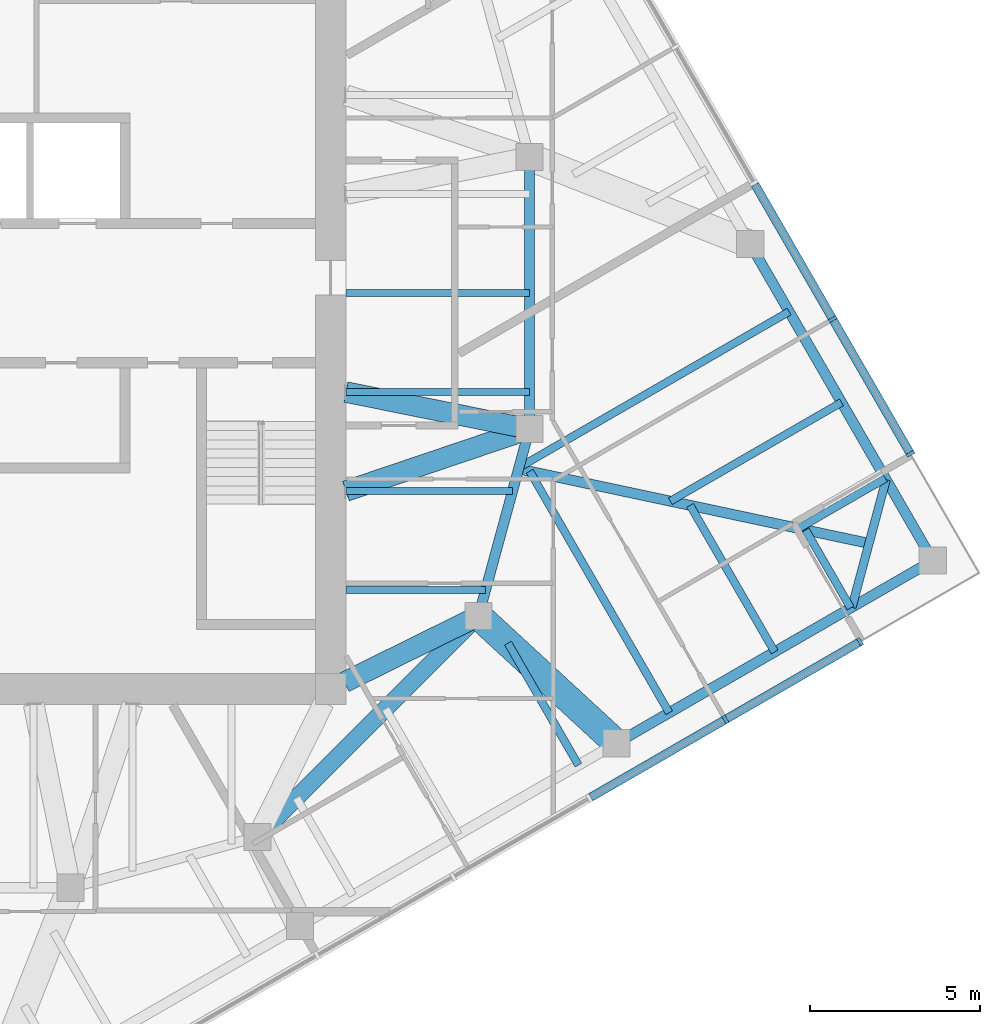
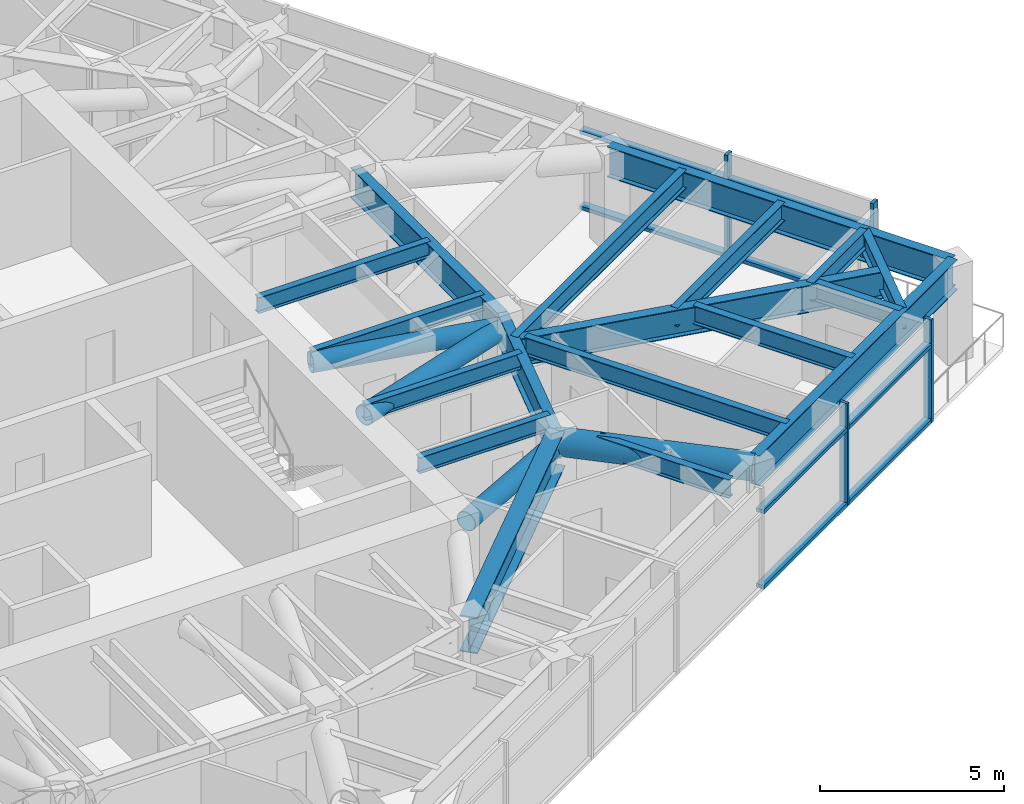
# One storey, part 4 of 16: 18 beams, 16 members, 2 elements without a shape of their own.
"""IFC4 building model written with IfcOpenShell, lengths in metres."""

import ifcopenshell
import ifcopenshell.guid

model = None  # the IFC model being written
_history = None  # IfcOwnerHistory: only IFC2X3 demands one
_inside = {}  # id of a spatial element -> (the spatial element, [elements in it])
_under = {}  # id of a project, library or spatial element -> (it, [spatial elements below it])
_declared = {}  # id of a project -> (the project, [libraries it declares])
_typed = {}  # id of a type object -> (the type object, [elements of that type])
_made_of = {}  # id of a material, layer set ... -> (it, [elements and type objects made of it])


def new_model(schema):
    """Start an empty IFC model of exactly this schema.

    Asked for "IFC4X3", IfcOpenShell would pick the latest addendum, in which some entities
    have other attributes; the version numbers below select the first issue.
    IFC2X3 requires an IfcOwnerHistory on every rooted entity: one is made here for all.
    """
    global model, _history
    if schema == "IFC4X3":
        model = ifcopenshell.file(schema_version=(4, 3, 0, 0))
    else:
        model = ifcopenshell.file(schema=schema)
    _inside.clear()
    _under.clear()
    _declared.clear()
    _typed.clear()
    _made_of.clear()
    _history = None
    if model.schema == "IFC2X3":
        org = make("IfcOrganization", Name="unknown")
        user = make(
            "IfcPersonAndOrganization",
            ThePerson=make("IfcPerson", FamilyName="unknown"),
            TheOrganization=org,
        )
        app = make(
            "IfcApplication",
            ApplicationDeveloper=org,
            Version="unknown",
            ApplicationFullName="unknown",
            ApplicationIdentifier="unknown",
        )
        _history = make(
            "IfcOwnerHistory",
            OwningUser=user,
            OwningApplication=app,
            ChangeAction="ADDED",
            CreationDate=0,
        )
    return model


def make(cls, **values):
    """One entity of the class cls with the attributes given. An attribute that is None is left unset."""
    return model.create_entity(
        cls, **{name: value for name, value in values.items() if value is not None}
    )


def rooted(cls, **values):
    """An entity with a GlobalId (a new one), such as an element, a storey or a relation."""
    return make(cls, GlobalId=ifcopenshell.guid.new(), OwnerHistory=_history, **values)


def si_unit(unit_type, name, prefix=None):
    """IfcSIUnit, for example si_unit("LENGTHUNIT", "METRE", prefix="MILLI")."""
    return make("IfcSIUnit", UnitType=unit_type, Prefix=prefix, Name=name)


def assignment(units):
    """IfcUnitAssignment: the units of a project."""
    return None if units is None else make("IfcUnitAssignment", Units=units)


def point(xyz):
    """IfcCartesianPoint."""
    return None if xyz is None else make("IfcCartesianPoint", Coordinates=xyz)


def direction(xyz):
    """IfcDirection."""
    return None if xyz is None else make("IfcDirection", DirectionRatios=xyz)


def frame(location, z_axis=None, x_axis=None):
    """IfcAxis2Placement3D, a coordinate frame: its origin and axes. An axis left out is left unset."""
    return make(
        "IfcAxis2Placement3D",
        Location=point(location),
        Axis=direction(z_axis),
        RefDirection=direction(x_axis),
    )


def frame_2d(location, x_axis=None):
    """IfcAxis2Placement2D, a coordinate frame in the plane: its origin and x axis."""
    return make(
        "IfcAxis2Placement2D", Location=point(location), RefDirection=direction(x_axis)
    )


def origin():
    """The frame at (0, 0, 0) with its axes left unset."""
    return frame((0.0, 0.0, 0.0))


def origin_2d():
    """The frame at (0, 0) in the plane with its x axis left unset."""
    return frame_2d((0.0, 0.0))


def place(relative_to, where):
    """IfcLocalPlacement: puts the frame where relative to a parent placement (None: the world)."""
    return make(
        "IfcLocalPlacement", PlacementRelTo=relative_to, RelativePlacement=where
    )


def context(
    kind, dimensions, precision=None, world=None, true_north=None, identifier=None
):
    """IfcGeometricRepresentationContext, for example the 3D "Model" context."""
    return make(
        "IfcGeometricRepresentationContext",
        ContextIdentifier=identifier,
        ContextType=kind,
        CoordinateSpaceDimension=dimensions,
        Precision=precision,
        WorldCoordinateSystem=world,
        TrueNorth=true_north,
    )


def subcontext(parent, identifier, kind, view, scale=None):
    """IfcGeometricRepresentationSubContext, for example "Body" below "Model"."""
    return make(
        "IfcGeometricRepresentationSubContext",
        ContextIdentifier=identifier,
        ContextType=kind,
        ParentContext=parent,
        TargetScale=scale,
        TargetView=view,
    )


def project(units=None, contexts=None):
    """IfcProject with its units and contexts."""
    return rooted(
        "IfcProject",
        Name="project",
        RepresentationContexts=contexts,
        UnitsInContext=assignment(units),
    )


def spatial(cls, under=None, at=None, **own):
    """A site, building, storey or space (cls), placed at a placement, below another one or the project."""
    s = rooted(cls, ObjectPlacement=at, **own)
    if under is not None:
        _under.setdefault(under.id(), (under, []))[1].append(s)
    return s


def profile(cls, at=None, kind="AREA", **sizes):
    """A parametric profile (cls). Its sizes go by their IFC names, for example OverallWidth=200.0."""
    return make(cls, ProfileType=kind, Position=at, **sizes)


def rectangle(**sizes):
    """IfcRectangleProfileDef."""
    return profile("IfcRectangleProfileDef", **sizes)


def hollow_circle(**sizes):
    """IfcCircleHollowProfileDef."""
    return profile("IfcCircleHollowProfileDef", **sizes)


def i_section(**sizes):
    """IfcIShapeProfileDef."""
    return profile("IfcIShapeProfileDef", **sizes)


def extrude(swept, where, along, depth):
    """IfcExtrudedAreaSolid: the profile swept, set in the frame where, extruded along a direction by depth."""
    return make(
        "IfcExtrudedAreaSolid",
        SweptArea=swept,
        Position=where,
        ExtrudedDirection=direction(along),
        Depth=depth,
    )


def shape(context_of_items, identifier, shape_type, items):
    """IfcShapeRepresentation: the items that make up one representation, for example the "Body"."""
    return make(
        "IfcShapeRepresentation",
        ContextOfItems=context_of_items,
        RepresentationIdentifier=identifier,
        RepresentationType=shape_type,
        Items=items,
    )


def material(Name=None, Category=None):
    """IfcMaterial."""
    return make("IfcMaterial", Name=Name, Category=Category)


def material_profile(
    of_material, cross_section, Name=None, Category=None, Priority=None
):
    """IfcMaterialProfile: a cross section and its material."""
    return make(
        "IfcMaterialProfile",
        Name=Name,
        Material=of_material,
        Profile=cross_section,
        Priority=Priority,
        Category=Category,
    )


def profile_set(profiles, Name=None, composite=None):
    """IfcMaterialProfileSet."""
    return make(
        "IfcMaterialProfileSet",
        Name=Name,
        MaterialProfiles=profiles,
        CompositeProfile=composite,
    )


def made_of(thing, what):
    """Note that an element or type object is made of a material, layer set ...; save() writes the relation."""
    if what is not None:
        _made_of.setdefault(what.id(), (what, []))[1].append(thing)
    return thing


def type_object(cls, material=None, **own):
    """A type object (cls), such as IfcWallType, which elements share."""
    return made_of(rooted(cls, **own), material)


def element(
    cls,
    number,
    at=None,
    inside=None,
    cuts=None,
    type_object=None,
    material=None,
    context=None,
    identifier="Body",
    shape_type=None,
    held_by="IfcProductDefinitionShape",
    body=None,
    shapes=None,
    **own,
):
    """One element of the class cls, such as IfcWall. Its Tag is "e" and its number.

    at: its placement. inside: the storey or other place that contains it. cuts: it is an
    opening in that element (IfcRelVoidsElement). A single representation is given by context,
    identifier, shape_type and body (its items); several are given by shapes. held_by: the class
    of the entity that holds the representations. save() writes the other relations.
    """
    e = rooted(cls, Tag="e%d" % number, ObjectPlacement=at, **own)
    if body is not None:
        shapes = [shape(context, identifier, shape_type, body)]
    if shapes is not None:
        e.Representation = make(held_by, Representations=shapes)
    if inside is not None:
        _inside.setdefault(inside.id(), (inside, []))[1].append(e)
    if cuts is not None:
        rooted(
            "IfcRelVoidsElement", RelatingBuildingElement=cuts, RelatedOpeningElement=e
        )
    if type_object is not None:
        _typed.setdefault(type_object.id(), (type_object, []))[1].append(e)
    return made_of(e, material)


def aggregate(whole, parts):
    """IfcRelAggregates: a whole, such as a stair, and the parts it consists of."""
    return rooted("IfcRelAggregates", RelatingObject=whole, RelatedObjects=parts)


def save(model, path):
    """Write the relations noted so far, then the file.

    IfcRelAggregates (storeys below a building ...), IfcRelContainedInSpatialStructure (elements
    in a storey), IfcRelDefinesByType, IfcRelAssociatesMaterial and IfcRelDeclares: one each for
    every whole, place, type object, material and project.
    """
    for whole, parts in _under.values():
        aggregate(whole, parts)
    for where, things in _inside.values():
        rooted(
            "IfcRelContainedInSpatialStructure",
            RelatedElements=things,
            RelatingStructure=where,
        )
    for kind, things in _typed.values():
        rooted("IfcRelDefinesByType", RelatedObjects=things, RelatingType=kind)
    for what, things in _made_of.values():
        rooted("IfcRelAssociatesMaterial", RelatedObjects=things, RelatingMaterial=what)
    for by, libraries in _declared.values():
        rooted("IfcRelDeclares", RelatingContext=by, RelatedDefinitions=libraries)
    model.write(path)


model = new_model("IFC4")

# Units and contexts
model_context = context("Model", 3, precision=1e-05, world=origin(), true_north=direction((0.0, 1.0)))
body_context = subcontext(model_context, "Body", "Model", "MODEL_VIEW")
ifc_project = project(units=[si_unit("LENGTHUNIT", "METRE"), si_unit("AREAUNIT", "SQUARE_METRE"), si_unit("VOLUMEUNIT", "CUBIC_METRE"), si_unit("PLANEANGLEUNIT", "RADIAN"), si_unit("MASSUNIT", "GRAM", prefix="KILO")], contexts=[model_context])

# Site, building, storey
site_placement = place(None, origin())
site = spatial("IfcSite", under=ifc_project, at=site_placement, CompositionType="ELEMENT")
building_placement = place(site_placement, origin())
building = spatial("IfcBuilding", under=site, at=building_placement, Name="Torsade Residences", CompositionType="ELEMENT")
storey_placement = place(building_placement, frame((0.0, 0.0, 232.0)))
storey = spatial("IfcBuildingStorey", under=building, at=storey_placement, Name="L64", CompositionType="ELEMENT", Elevation=232.0)

# Beams
ifc_material_1 = material(Name="Steel grade 300", Category="steel")
ifc_material_profile_1 = material_profile(ifc_material_1, i_section(OverallWidth=0.300048828125, OverallDepth=0.89990234375, WebThickness=0.011962890625, FlangeThickness=0.02490234375, at=origin_2d()), Name="900WB175")
ifc_profile_set_1 = profile_set([ifc_material_profile_1], Name="Steel grade 300")
beam_type_1 = type_object("IfcBeamType", Name="CORNER GIRDER 900WB175", PredefinedType="BEAM", material=ifc_profile_set_1)
beam_1_placement = place(storey_placement, frame((67.4912109375, 22.6337890625, 2.75), z_axis=(-0.978115155685, 0.20806427425, 0.0), x_axis=(-0.20806427425, -0.978115155685, 0.0)))
element("IfcBeam", 1, at=beam_1_placement, inside=storey, type_object=beam_type_1, Name="Corner girder 05 L65", PredefinedType="BEAM", context=body_context, shape_type="SweptSolid", body=[
    extrude(i_section(OverallWidth=0.300048828125, OverallDepth=0.89990234375, WebThickness=0.011962890625, FlangeThickness=0.02490234375, at=origin_2d()), origin(), (0.0, 0.0, 1.0), 10.541748046875),
])
ifc_material_2 = material(Name="Steel grade 300", Category="steel")
ifc_material_profile_2 = material_profile(ifc_material_2, i_section(OverallWidth=0.25, OverallDepth=0.699951171875, WebThickness=0.010009765625, FlangeThickness=0.02001953125, at=origin_2d()), Name="700WB130")
ifc_profile_set_2 = profile_set([ifc_material_profile_2], Name="Steel grade 300")
beam_type_2 = type_object("IfcBeamType", Name="CORNER TRIMMER 700WB130", PredefinedType="BEAM", material=ifc_profile_set_2)
beam_2_placement = place(storey_placement, frame((67.99462890625, 24.511962890625, 2.85009765625), z_axis=(-0.258822897619, -0.965924794002, 0.0), x_axis=(0.965924794002, -0.258822897619, 0.0)))
element("IfcBeam", 2, at=beam_2_placement, inside=storey, type_object=beam_type_2, Name="Corner trimmer 05 L65", PredefinedType="BEAM", context=body_context, shape_type="SweptSolid", body=[
    extrude(i_section(OverallWidth=0.25, OverallDepth=0.699951171875, WebThickness=0.010009765625, FlangeThickness=0.02001953125, at=origin_2d()), origin(), (0.0, 0.0, 1.0), 3.88916015625),
])

# Curtain wall, members
ifc_material_3 = material(Name="Aluminium and glass", Category="aluminium")
curtain_wall_type = type_object("IfcCurtainWallType", Name="FRITTED GLASS CURTAIN WALL HIGH ZONE", PredefinedType="NOTDEFINED", material=ifc_material_3)
curtain_wall_1_placement = place(storey_placement, origin())
curtain_wall_1 = element("IfcCurtainWall", 3, at=curtain_wall_1_placement, inside=storey, type_object=curtain_wall_type, Name="Curtain wall L64 face 1", PredefinedType="NOTDEFINED")
ifc_material_4 = material(Name="Aluminium mullion", Category="aluminium")
ifc_material_profile_3 = material_profile(ifc_material_4, rectangle(XDim=0.25, YDim=0.10009765625, at=origin_2d()), Name="HIGH ZONE CURTAIN WALL MULLION 250x100")
ifc_profile_set_3 = profile_set([ifc_material_profile_3], Name="Aluminium mullion")
member_type_1 = type_object("IfcMemberType", Name="HIGH ZONE CURTAIN WALL MULLION 250x100", PredefinedType="MULLION", material=ifc_profile_set_3)
member_1_placement = place(storey_placement, frame((63.26611328125, 17.451904296875, 0.0), z_axis=(0.0, 0.0, 1.0), x_axis=(-0.499999999305, 0.866025404186, 0.0)))
member_1 = element("IfcMember", 4, at=member_1_placement, type_object=member_type_1, Name="Mullion 8", PredefinedType="MULLION", context=body_context, shape_type="SweptSolid", body=[
    extrude(rectangle(XDim=0.25, YDim=0.10009765625, at=origin_2d()), origin(), (0.0, 0.0, 1.0), 3.39990234375),
])
member_2_placement = place(storey_placement, frame((67.228271484375, 19.739501953125, 0.0), z_axis=(0.0, 0.0, 1.0), x_axis=(-0.499999999305, 0.866025404186, 0.0)))
member_2 = element("IfcMember", 5, at=member_2_placement, type_object=member_type_1, Name="Mullion 9", PredefinedType="MULLION", context=body_context, shape_type="SweptSolid", body=[
    extrude(rectangle(XDim=0.25, YDim=0.10009765625, at=origin_2d()), origin(), (0.0, 0.0, 1.0), 3.39990234375),
])

curtain_wall_2_placement = place(storey_placement, origin())
curtain_wall_2 = element("IfcCurtainWall", 6, at=curtain_wall_2_placement, inside=storey, type_object=curtain_wall_type, Name="Curtain wall L64 face 4", PredefinedType="NOTDEFINED")
member_3_placement = place(storey_placement, frame((68.710693359375, 25.271728515625, 0.0), z_axis=(0.0, 0.0, 1.0), x_axis=(-0.866025404186, -0.499999999305, 0.0)))
member_3 = element("IfcMember", 7, at=member_3_placement, type_object=member_type_1, Name="Mullion 1", PredefinedType="MULLION", context=body_context, shape_type="SweptSolid", body=[
    extrude(rectangle(XDim=0.25, YDim=0.10009765625, at=origin_2d()), origin(), (0.0, 0.0, 1.0), 3.39990234375),
])
member_4_placement = place(storey_placement, frame((66.423095703125, 29.23388671875, 0.0), z_axis=(0.0, 0.0, 1.0), x_axis=(-0.866025404186, -0.499999999305, 0.0)))
member_4 = element("IfcMember", 8, at=member_4_placement, type_object=member_type_1, Name="Mullion 2", PredefinedType="MULLION", context=body_context, shape_type="SweptSolid", body=[
    extrude(rectangle(XDim=0.25, YDim=0.10009765625, at=origin_2d()), origin(), (0.0, 0.0, 1.0), 3.39990234375),
])

# Member
ifc_material_5 = material(Name="Aluminium transom", Category="aluminium")
ifc_material_profile_4 = material_profile(ifc_material_5, rectangle(XDim=0.25, YDim=0.1201171875, at=origin_2d()), Name="HIGH ZONE CURTAIN WALL TRANSOM 250x120")
ifc_profile_set_4 = profile_set([ifc_material_profile_4], Name="Aluminium transom")
member_type_2 = type_object("IfcMemberType", Name="HIGH ZONE CURTAIN WALL TRANSOM 250x120", PredefinedType="USERDEFINED", material=ifc_profile_set_4)
member_5_placement = place(storey_placement, frame((59.303955078125, 15.164306640625, 0.06005859375), z_axis=(0.866016678684, 0.500015112013, 0.0), x_axis=(-0.500015112013, 0.866016678684, 0.0)))
member_5 = element("IfcMember", 9, at=member_5_placement, type_object=member_type_2, Name="Transom 7.1", ObjectType="TRANSOM", PredefinedType="USERDEFINED", context=body_context, shape_type="SweptSolid", body=[
    extrude(rectangle(XDim=0.25, YDim=0.1201171875, at=origin_2d()), origin(), (0.0, 0.0, 1.0), 4.525146484375),
])

member_6_placement = place(storey_placement, frame((59.303955078125, 15.164306640625, 2.56005859375), z_axis=(0.866016678684, 0.500015112013, 0.0), x_axis=(-0.500015112013, 0.866016678684, 0.0)))
member_6 = element("IfcMember", 10, at=member_6_placement, type_object=member_type_2, Name="Transom 7.2", ObjectType="TRANSOM", PredefinedType="USERDEFINED", context=body_context, shape_type="SweptSolid", body=[
    extrude(rectangle(XDim=0.25, YDim=0.1201171875, at=origin_2d()), origin(), (0.0, 0.0, 1.0), 4.525146484375),
])

member_7_placement = place(storey_placement, frame((63.309326171875, 17.476806640625, 0.06005859375), z_axis=(0.866022053326, 0.50000580312, 0.0), x_axis=(-0.50000580312, 0.866022053326, 0.0)))
member_7 = element("IfcMember", 11, at=member_7_placement, type_object=member_type_2, Name="Transom 8.1", ObjectType="TRANSOM", PredefinedType="USERDEFINED", context=body_context, shape_type="SweptSolid", body=[
    extrude(rectangle(XDim=0.25, YDim=0.1201171875, at=origin_2d()), origin(), (0.0, 0.0, 1.0), 4.47509765625),
])

member_8_placement = place(storey_placement, frame((63.309326171875, 17.476806640625, 2.56005859375), z_axis=(0.866022053326, 0.50000580312, 0.0), x_axis=(-0.50000580312, 0.866022053326, 0.0)))
member_8 = element("IfcMember", 12, at=member_8_placement, type_object=member_type_2, Name="Transom 8.2", ObjectType="TRANSOM", PredefinedType="USERDEFINED", context=body_context, shape_type="SweptSolid", body=[
    extrude(rectangle(XDim=0.25, YDim=0.1201171875, at=origin_2d()), origin(), (0.0, 0.0, 1.0), 4.47509765625),
])

aggregate(curtain_wall_1, [member_1, member_2, member_5, member_6, member_7, member_8])

member_9_placement = place(storey_placement, frame((68.685546875, 25.315185546875, 0.06005859375), z_axis=(-0.50000580312, 0.866022053326, 0.0), x_axis=(-0.866022053326, -0.50000580312, 0.0)))
member_9 = element("IfcMember", 13, at=member_9_placement, type_object=member_type_2, Name="Transom 1.1", ObjectType="TRANSOM", PredefinedType="USERDEFINED", context=body_context, shape_type="SweptSolid", body=[
    extrude(rectangle(XDim=0.25, YDim=0.1201171875, at=origin_2d()), origin(), (0.0, 0.0, 1.0), 4.47509765625),
])

member_10_placement = place(storey_placement, frame((68.685546875, 25.315185546875, 2.56005859375), z_axis=(-0.50000580312, 0.866022053326, 0.0), x_axis=(-0.866022053326, -0.50000580312, 0.0)))
member_10 = element("IfcMember", 14, at=member_10_placement, type_object=member_type_2, Name="Transom 1.2", ObjectType="TRANSOM", PredefinedType="USERDEFINED", context=body_context, shape_type="SweptSolid", body=[
    extrude(rectangle(XDim=0.25, YDim=0.1201171875, at=origin_2d()), origin(), (0.0, 0.0, 1.0), 4.47509765625),
])

member_11_placement = place(storey_placement, frame((66.398193359375, 29.277099609375, 0.06005859375), z_axis=(-0.500015112013, 0.866016678684, 0.0), x_axis=(-0.866016678684, -0.500015112013, 0.0)))
member_11 = element("IfcMember", 15, at=member_11_placement, type_object=member_type_2, Name="Transom 2.1", ObjectType="TRANSOM", PredefinedType="USERDEFINED", context=body_context, shape_type="SweptSolid", body=[
    extrude(rectangle(XDim=0.25, YDim=0.1201171875, at=origin_2d()), origin(), (0.0, 0.0, 1.0), 4.525146484375),
])

member_12_placement = place(storey_placement, frame((66.398193359375, 29.277099609375, 2.56005859375), z_axis=(-0.500015112013, 0.866016678684, 0.0), x_axis=(-0.866016678684, -0.500015112013, 0.0)))
member_12 = element("IfcMember", 16, at=member_12_placement, type_object=member_type_2, Name="Transom 2.2", ObjectType="TRANSOM", PredefinedType="USERDEFINED", context=body_context, shape_type="SweptSolid", body=[
    extrude(rectangle(XDim=0.25, YDim=0.1201171875, at=origin_2d()), origin(), (0.0, 0.0, 1.0), 4.525146484375),
])

aggregate(curtain_wall_2, [member_3, member_4, member_9, member_10, member_11, member_12])

# Beams
ifc_material_6 = material(Name="Steel grade 300", Category="steel")
ifc_material_profile_5 = material_profile(ifc_material_6, i_section(OverallWidth=0.208984375, OverallDepth=0.528076171875, WebThickness=0.009521484375, FlangeThickness=0.01318359375, FilletRadius=0.013916015625, at=origin_2d()), Name="530UB82.0")
ifc_profile_set_5 = profile_set([ifc_material_profile_5], Name="Steel grade 300")
beam_type_3 = type_object("IfcBeamType", Name="INNER FLOOR BEAM 530UB82.0", PredefinedType="JOIST", material=ifc_profile_set_5)
beam_3_placement = place(storey_placement, frame((52.10009765625, 21.262451171875, 2.93603515625), z_axis=(1.0, 0.0, 0.0), x_axis=(0.0, 1.0, 0.0)))
element("IfcBeam", 17, at=beam_3_placement, inside=storey, type_object=beam_type_3, Name="Inner floor beam IE01 L65", PredefinedType="JOIST", context=body_context, shape_type="SweptSolid", body=[
    extrude(i_section(OverallWidth=0.208984375, OverallDepth=0.528076171875, WebThickness=0.009521484375, FlangeThickness=0.01318359375, FilletRadius=0.013916015625, at=origin_2d()), origin(), (0.0, 0.0, 1.0), 4.10791015625),
])
beam_4_placement = place(storey_placement, frame((52.10009765625, 24.175048828125, 2.93603515625), z_axis=(1.0, 0.0, 0.0), x_axis=(0.0, 1.0, 0.0)))
element("IfcBeam", 18, at=beam_4_placement, inside=storey, type_object=beam_type_3, Name="Inner floor beam IE02 L65", PredefinedType="JOIST", context=body_context, shape_type="SweptSolid", body=[
    extrude(i_section(OverallWidth=0.208984375, OverallDepth=0.528076171875, WebThickness=0.009521484375, FlangeThickness=0.01318359375, FilletRadius=0.013916015625, at=origin_2d()), origin(), (0.0, 0.0, 1.0), 4.902099609375),
])
for number, where, z_axis, x_axis, name in (
    (19, (52.10009765625, 27.08740234375, 2.93603515625), (1.0, 0.0, 0.0), (0.0, 1.0, 0.0), "Inner floor beam IE03 L65"),
    (20, (52.10009765625, 30.0, 2.93603515625), (1.0, 0.0, 0.0), (0.0, 1.0, 0.0), "Inner floor beam IE04 L65"),
):
    element("IfcBeam", number, at=place(storey_placement, frame(where, z_axis=z_axis, x_axis=x_axis)), inside=storey, type_object=beam_type_3, Name=name, PredefinedType="JOIST", context=body_context, shape_type="SweptSolid", body=[
        extrude(i_section(OverallWidth=0.208984375, OverallDepth=0.528076171875, WebThickness=0.009521484375, FlangeThickness=0.01318359375, FilletRadius=0.013916015625, at=origin_2d()), origin(), (0.0, 0.0, 1.0), 5.39990234375),
    ])
ifc_material_7 = material(Name="Steel grade 300", Category="steel")
ifc_material_profile_6 = material_profile(ifc_material_7, i_section(OverallWidth=0.5, OverallDepth=1.199951171875, WebThickness=0.01611328125, FlangeThickness=0.0400390625, at=origin_2d()), Name="1200WB455")
ifc_profile_set_6 = profile_set([ifc_material_profile_6], Name="Steel grade 300")
beam_type_4 = type_object("IfcBeamType", Name="RING CORNER GIRDER 1200WB455", PredefinedType="BEAM", material=ifc_profile_set_6)
beam_5_placement = place(storey_placement, frame((49.5, 14.0, 2.60009765625), z_axis=(0.707106781187, 0.707106781187, 0.0), x_axis=(-0.707106781187, 0.707106781187, 0.0)))
element("IfcBeam", 21, at=beam_5_placement, inside=storey, type_object=beam_type_4, Name="Ring girder IR15 L65", PredefinedType="BEAM", context=body_context, shape_type="SweptSolid", body=[
    extrude(i_section(OverallWidth=0.5, OverallDepth=1.199951171875, WebThickness=0.01611328125, FlangeThickness=0.0400390625, at=origin_2d()), origin(), (0.0, 0.0, 1.0), 9.1923828125),
])
ifc_material_8 = material(Name="Steel grade 300", Category="steel")
ifc_material_profile_7 = material_profile(ifc_material_8, i_section(OverallWidth=0.300048828125, OverallDepth=1.0, WebThickness=0.01611328125, FlangeThickness=0.028076171875, at=origin_2d()), Name="1000WB215")
ifc_profile_set_7 = profile_set([ifc_material_profile_7], Name="Steel grade 300")
beam_type_5 = type_object("IfcBeamType", Name="RING GIRDER 1000WB215", PredefinedType="BEAM", material=ifc_profile_set_7)
beam_6_placement = place(storey_placement, frame((57.5, 26.0, 2.699951171875), z_axis=(0.0, 1.0, 0.0), x_axis=(-1.0, 0.0, 0.0)))
element("IfcBeam", 22, at=beam_6_placement, inside=storey, type_object=beam_type_5, Name="Ring girder IR01 L65", PredefinedType="BEAM", context=body_context, shape_type="SweptSolid", body=[
    extrude(i_section(OverallWidth=0.300048828125, OverallDepth=1.0, WebThickness=0.01611328125, FlangeThickness=0.028076171875, at=origin_2d()), origin(), (0.0, 0.0, 1.0), 8.0),
])
beam_7_placement = place(storey_placement, frame((56.0, 20.5, 2.699951171875), z_axis=(0.263117405792, 0.964763821238, 0.0), x_axis=(-0.964763821238, 0.263117405792, 0.0)))
element("IfcBeam", 23, at=beam_7_placement, inside=storey, type_object=beam_type_5, Name="Ring girder IR16 L65", PredefinedType="BEAM", context=body_context, shape_type="SweptSolid", body=[
    extrude(i_section(OverallWidth=0.300048828125, OverallDepth=1.0, WebThickness=0.01611328125, FlangeThickness=0.028076171875, at=origin_2d()), origin(), (0.0, 0.0, 1.0), 5.700927734375),
])
ifc_material_9 = material(Name="Steel grade 300", Category="steel")
ifc_material_profile_8 = material_profile(ifc_material_9, i_section(OverallWidth=0.22900390625, OverallDepth=0.612060546875, WebThickness=0.011962890625, FlangeThickness=0.01953125, FilletRadius=0.013916015625, at=origin_2d()), Name="610UB125")
ifc_profile_set_8 = profile_set([ifc_material_profile_8], Name="Steel grade 300")
beam_type_6 = type_object("IfcBeamType", Name="SECONDARY BEAM 610UB125", PredefinedType="JOIST", material=ifc_profile_set_8)
beam_8_placement = place(storey_placement, frame((58.941162109375, 16.109619140625, 2.89404296875), z_axis=(-0.499979160215, 0.866037435306, 0.0), x_axis=(-0.866037435306, -0.499979160215, 0.0)))
element("IfcBeam", 24, at=beam_8_placement, inside=storey, type_object=beam_type_6, Name="Floor beam FS09 L65", PredefinedType="JOIST", context=body_context, shape_type="SweptSolid", body=[
    extrude(i_section(OverallWidth=0.22900390625, OverallDepth=0.612060546875, WebThickness=0.011962890625, FlangeThickness=0.01953125, FilletRadius=0.013916015625, at=origin_2d()), origin(), (0.0, 0.0, 1.0), 4.143798828125),
])
beam_9_placement = place(storey_placement, frame((61.611328125, 17.6513671875, 2.89404296875), z_axis=(-0.499992034702, 0.866030002502, 0.0), x_axis=(-0.866030002502, -0.499992034702, 0.0)))
element("IfcBeam", 25, at=beam_9_placement, inside=storey, type_object=beam_type_6, Name="Floor beam FS10 L65", PredefinedType="JOIST", context=body_context, shape_type="SweptSolid", body=[
    extrude(i_section(OverallWidth=0.22900390625, OverallDepth=0.612060546875, WebThickness=0.011962890625, FlangeThickness=0.01953125, FilletRadius=0.013916015625, at=origin_2d()), origin(), (0.0, 0.0, 1.0), 8.205322265625),
])
beam_10_placement = place(storey_placement, frame((64.714599609375, 19.44287109375, 2.89404296875), z_axis=(-0.499968694491, 0.866043477274, 0.0), x_axis=(-0.866043477274, -0.499968694491, 0.0)))
element("IfcBeam", 26, at=beam_10_placement, inside=storey, type_object=beam_type_6, Name="Floor beam FS11 L65", PredefinedType="JOIST", context=body_context, shape_type="SweptSolid", body=[
    extrude(i_section(OverallWidth=0.22900390625, OverallDepth=0.612060546875, WebThickness=0.011962890625, FlangeThickness=0.01953125, FilletRadius=0.013916015625, at=origin_2d()), origin(), (0.0, 0.0, 1.0), 4.977783203125),
])
beam_11_placement = place(storey_placement, frame((66.951904296875, 20.734619140625, 2.89404296875), z_axis=(-0.499972238474, 0.866041431316, 0.0), x_axis=(-0.866041431316, -0.499972238474, 0.0)))
element("IfcBeam", 27, at=beam_11_placement, inside=storey, type_object=beam_type_6, Name="Floor beam FS12 L65", PredefinedType="JOIST", context=body_context, shape_type="SweptSolid", body=[
    extrude(i_section(OverallWidth=0.22900390625, OverallDepth=0.612060546875, WebThickness=0.011962890625, FlangeThickness=0.01953125, FilletRadius=0.013916015625, at=origin_2d()), origin(), (0.0, 0.0, 1.0), 2.651123046875),
])
beam_12_placement = place(storey_placement, frame((67.9736328125, 24.548095703125, 2.89404296875), z_axis=(-0.866017313224, -0.500014013, 0.0), x_axis=(0.500014013, -0.866017313224, 0.0)))
element("IfcBeam", 28, at=beam_12_placement, inside=storey, type_object=beam_type_6, Name="Floor beam FE01 L65", PredefinedType="JOIST", context=body_context, shape_type="SweptSolid", body=[
    extrude(i_section(OverallWidth=0.22900390625, OverallDepth=0.612060546875, WebThickness=0.011962890625, FlangeThickness=0.01953125, FilletRadius=0.013916015625, at=origin_2d()), origin(), (0.0, 0.0, 1.0), 2.94775390625),
])
beam_13_placement = place(storey_placement, frame((66.68212890625, 26.785400390625, 2.89404296875), z_axis=(-0.866031100357, -0.499990133118, 0.0), x_axis=(0.499990133118, -0.866031100357, 0.0)))
element("IfcBeam", 29, at=beam_13_placement, inside=storey, type_object=beam_type_6, Name="Floor beam FE02 L65", PredefinedType="JOIST", context=body_context, shape_type="SweptSolid", body=[
    extrude(i_section(OverallWidth=0.22900390625, OverallDepth=0.612060546875, WebThickness=0.011962890625, FlangeThickness=0.01953125, FilletRadius=0.013916015625, at=origin_2d()), origin(), (0.0, 0.0, 1.0), 5.81591796875),
])
beam_14_placement = place(storey_placement, frame((65.140380859375, 29.45556640625, 2.89404296875), z_axis=(-0.866021712342, -0.500006393711, 0.0), x_axis=(0.500006393711, -0.866021712342, 0.0)))
element("IfcBeam", 30, at=beam_14_placement, inside=storey, type_object=beam_type_6, Name="Floor beam FE03 L65", PredefinedType="JOIST", context=body_context, shape_type="SweptSolid", body=[
    extrude(i_section(OverallWidth=0.22900390625, OverallDepth=0.612060546875, WebThickness=0.011962890625, FlangeThickness=0.01953125, FilletRadius=0.013916015625, at=origin_2d()), origin(), (0.0, 0.0, 1.0), 9.1796875),
])

# Members
ifc_material_10 = material(Name="Steel grade 450", Category="steel")
ifc_material_profile_9 = material_profile(ifc_material_10, hollow_circle(Radius=0.304931640625, WallThickness=0.01611328125, at=origin_2d()), Name="610.0x16.0CHS")
ifc_profile_set_9 = profile_set([ifc_material_profile_9], Name="Steel grade 450")
member_type_3 = type_object("IfcMemberType", Name="TRANSFER FLOOR BRACE 610.0x16.0CHS", PredefinedType="BRACE", material=ifc_profile_set_9)
member_13_placement = place(storey_placement, frame((57.5, 26.0, 2.699951171875), z_axis=(-0.980201418973, 0.197387517864, 0.015599552377), x_axis=(-0.197411538983, -0.980320704809, 0.0)))
element("IfcMember", 31, at=member_13_placement, inside=storey, type_object=member_type_3, Name="Transfer floor brace TT7 bottom IR01IE03", PredefinedType="BRACE", context=body_context, shape_type="SweptSolid", body=[
    extrude(hollow_circle(Radius=0.304931640625, WallThickness=0.01611328125, at=origin_2d()), origin(), (0.0, 0.0, 1.0), 5.509033203125),
])
member_14_placement = place(storey_placement, frame((57.5, 26.0, 2.699951171875), z_axis=(-0.947252495944, -0.320133484365, 0.01507518214), x_axis=(0.320169867513, -0.947360151124, 0.0)))
element("IfcMember", 32, at=member_14_placement, inside=storey, type_object=member_type_3, Name="Transfer floor brace TT7 bottom IR01IE02", PredefinedType="BRACE", context=body_context, shape_type="SweptSolid", body=[
    extrude(hollow_circle(Radius=0.304931640625, WallThickness=0.01611328125, at=origin_2d()), origin(), (0.0, 0.0, 1.0), 5.70068359375),
])
member_15_placement = place(storey_placement, frame((56.0, 20.5, 2.699951171875), z_axis=(-0.896469701914, -0.443105036702, 0.0), x_axis=(0.443105036702, -0.896469701914, 0.0)))
element("IfcMember", 33, at=member_15_placement, inside=storey, type_object=member_type_3, Name="Transfer floor brace TT7 bottom IR16C", PredefinedType="BRACE", context=body_context, shape_type="SweptSolid", body=[
    extrude(hollow_circle(Radius=0.304931640625, WallThickness=0.01611328125, at=origin_2d()), origin(), (0.0, 0.0, 1.0), 4.40234375),
])
ifc_material_11 = material(Name="Steel grade 450", Category="steel")
ifc_material_profile_10 = material_profile(ifc_material_11, hollow_circle(Radius=0.406494140625, WallThickness=0.02490234375, at=origin_2d()), Name="813.0x25.0CHS")
ifc_profile_set_10 = profile_set([ifc_material_profile_10], Name="Steel grade 450")
member_type_4 = type_object("IfcMemberType", Name="TRANSFER FLOOR STRUT 813.0x25.0CHS", PredefinedType="STRUT", material=ifc_profile_set_10)
member_16_placement = place(storey_placement, frame((60.059814453125, 16.75537109375, 2.798583984375), z_axis=(-0.735064376029, 0.67799731791, 0.0), x_axis=(-0.67799731791, -0.735064376029, 0.0)))
element("IfcMember", 34, at=member_16_placement, inside=storey, type_object=member_type_4, Name="Transfer floor strut TT7 bottom 04IR16", PredefinedType="STRUT", context=body_context, shape_type="SweptSolid", body=[
    extrude(hollow_circle(Radius=0.406494140625, WallThickness=0.02490234375, at=origin_2d()), origin(), (0.0, 0.0, 1.0), 5.523193359375),
])

# Beams
ifc_material_12 = material(Name="Steel grade 300", Category="steel")
ifc_material_profile_11 = material_profile(ifc_material_12, i_section(OverallWidth=0.300048828125, OverallDepth=1.0, WebThickness=0.01611328125, FlangeThickness=0.028076171875, at=origin_2d()), Name="1000WB215")
ifc_profile_set_11 = profile_set([ifc_material_profile_11], Name="Steel grade 300")
beam_type_7 = type_object("IfcBeamType", Name="TRANSFER TRUSS CHORD 1000WB215", PredefinedType="USERDEFINED", material=ifc_profile_set_11)
for number, where, z_axis, x_axis, name in (
    (35, (60.059814453125, 16.75537109375, 2.699951171875), (0.866026365697, 0.499998333915, 0.0), (-0.499998333915, 0.866026365697, 0.0), "Transfer truss TT7 bottom chord 04"),
    (36, (69.36962890625, 22.13037109375, 2.699951171875), (-0.499998333915, 0.866026365697, 0.0), (-0.866026365697, -0.499998333915, 0.0), "Transfer truss TT7 bottom chord 05"),
):
    element("IfcBeam", number, at=place(storey_placement, frame(where, z_axis=z_axis, x_axis=x_axis)), inside=storey, type_object=beam_type_7, Name=name, ObjectType="TRANSFER TRUSS CHORD", PredefinedType="USERDEFINED", context=body_context, shape_type="SweptSolid", body=[
        extrude(i_section(OverallWidth=0.300048828125, OverallDepth=1.0, WebThickness=0.01611328125, FlangeThickness=0.028076171875, at=origin_2d()), origin(), (0.0, 0.0, 1.0), 10.75),
    ])

save(model, "model.ifc")
